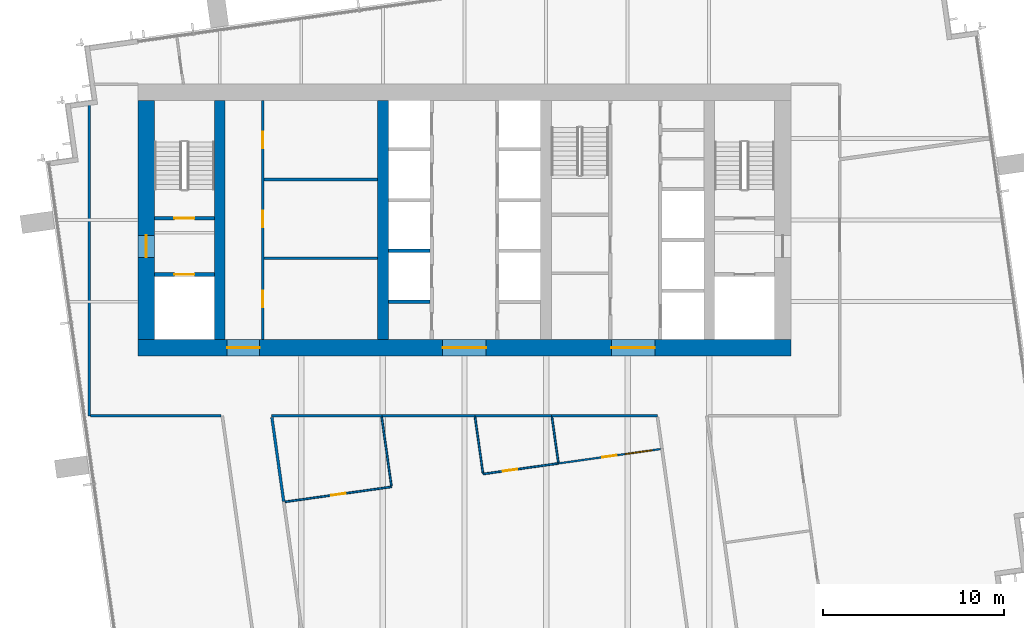
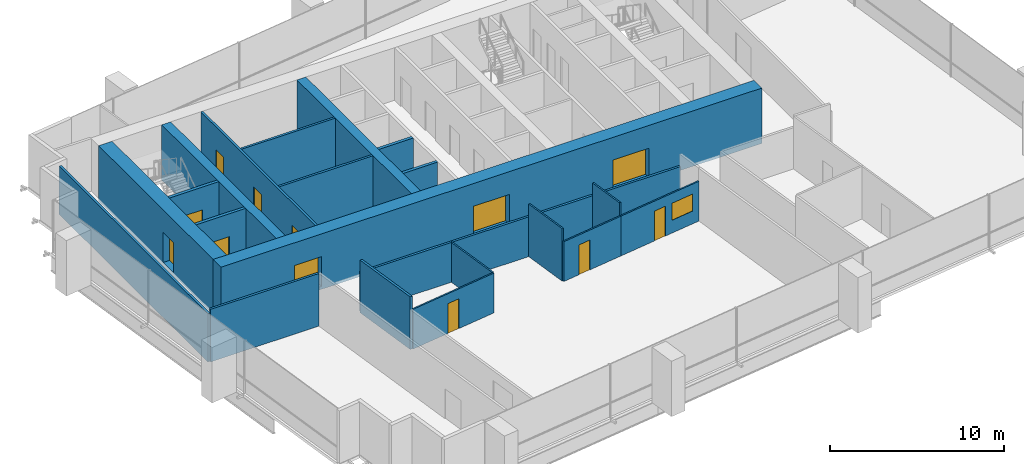
# One storey, part 9 of 13: 24 walls, 12 doors, 1 window, 13 openings.
"""IFC4 building model written with IfcOpenShell, lengths in metres."""

from ifc_helpers import new_model, si_unit, direction, frame, frame_2d, origin, place, context, subcontext, project, spatial, rectangle, extrude, material, layer, layer_set, type_object, element, fill, save


model = new_model("IFC4")

# Units and contexts
model_context = context("Model", 3, precision=1e-05, world=origin(), true_north=direction((0.0, 1.0)))
body_context = subcontext(model_context, "Body", "Model", "MODEL_VIEW")
ifc_project = project(units=[si_unit("LENGTHUNIT", "METRE"), si_unit("AREAUNIT", "SQUARE_METRE"), si_unit("VOLUMEUNIT", "CUBIC_METRE"), si_unit("PLANEANGLEUNIT", "RADIAN"), si_unit("MASSUNIT", "GRAM", prefix="KILO")], contexts=[model_context])

# Site, building, storey
site_placement = place(None, origin())
site = spatial("IfcSite", under=ifc_project, at=site_placement, CompositionType="ELEMENT")
building_placement = place(site_placement, origin())
building = spatial("IfcBuilding", under=site, at=building_placement, Name="Rattan Terrace Tower", CompositionType="ELEMENT")
storey_placement = place(building_placement, frame((0.0, 0.0, 217.39990234375)))
storey = spatial("IfcBuildingStorey", under=building, at=storey_placement, Name="L49", CompositionType="ELEMENT", Elevation=217.39990234375)

# Wall, openings, doors
ifc_material_1 = material(Name="Gypsum board partition")
ifc_layer_1 = layer(ifc_material_1, 0.14990234375)
ifc_layer_set_1 = layer_set([ifc_layer_1], Name="Core partition 150")
wall_type_1 = type_object("IfcWallType", Name="Core partition 150", PredefinedType="PARTITIONING", material=ifc_layer_set_1)
wall_1_placement = place(storey_placement, frame((-11.125, -6.60009765625, 0.0), z_axis=(0.0, 0.0, 1.0), x_axis=(0.0, 1.0, 0.0)))
wall_1 = element("IfcWall", 1, at=wall_1_placement, inside=storey, type_object=wall_type_1, Name="Core room wall", PredefinedType="PARTITIONING", context=body_context, shape_type="SweptSolid", body=[
    extrude(rectangle(XDim=13.2001953125, YDim=0.14990234375, at=frame_2d((6.60009765625, 0.0))), origin(), (0.0, 0.0, 1.0), 3.7001953125),
])
opening_1_placement = place(wall_1_placement, frame((1.7939453125, 0.0, 0.0)))
opening_1 = element("IfcOpeningElement", 2, at=opening_1_placement, cuts=wall_1, Name="Opening L49-D005", PredefinedType="OPENING", context=body_context, shape_type="SweptSolid", body=[
    extrude(rectangle(XDim=0.89990234375, YDim=2.10009765625, at=frame_2d((0.449951171875, 1.050048828125))), frame((0.0, 0.08544921875, 0.0), z_axis=(0.0, -1.0, 0.0), x_axis=(1.0, 0.0, 0.0)), (0.0, 0.0, 1.0), 0.1708984375),
])
opening_2_placement = place(wall_1_placement, frame((6.216064453125, 0.0, 0.0)))
opening_2 = element("IfcOpeningElement", 3, at=opening_2_placement, cuts=wall_1, Name="Opening L49-D006", PredefinedType="OPENING", context=body_context, shape_type="SweptSolid", body=[
    extrude(rectangle(XDim=0.89990234375, YDim=2.10009765625, at=frame_2d((0.449951171875, 1.050048828125))), frame((0.0, 0.08544921875, 0.0), z_axis=(0.0, -1.0, 0.0), x_axis=(1.0, 0.0, 0.0)), (0.0, 0.0, 1.0), 0.1708984375),
])
opening_3_placement = place(wall_1_placement, frame((10.572021484375, 0.0, 0.0)))
opening_3 = element("IfcOpeningElement", 4, at=opening_3_placement, cuts=wall_1, Name="Opening L49-D007", PredefinedType="OPENING", context=body_context, shape_type="SweptSolid", body=[
    extrude(rectangle(XDim=0.89990234375, YDim=2.10009765625, at=frame_2d((0.449951171875, 1.050048828125))), frame((0.0, 0.08544921875, 0.0), z_axis=(0.0, -1.0, 0.0), x_axis=(1.0, 0.0, 0.0)), (0.0, 0.0, 1.0), 0.1708984375),
])
ifc_material_2 = material(Name="Hollow-metal fire door leaf")
door_type_1 = type_object("IfcDoorType", Name="Core service room door 900", OperationType="NOTDEFINED", PredefinedType="DOOR", material=ifc_material_2)
door_1_placement = place(opening_1_placement, origin())
door_1 = element("IfcDoor", 5, at=door_1_placement, inside=storey, type_object=door_type_1, Name="Door L49-D005", OperationType="SINGLE_SWING_LEFT", OverallHeight=2.10009765625, OverallWidth=0.89990234375, PredefinedType="DOOR", context=body_context, shape_type="SweptSolid", body=[
    extrude(rectangle(XDim=0.89990234375, YDim=2.10009765625, at=frame_2d((0.449951171875, 1.050048828125))), frame((0.0, 0.02490234375, 0.0), z_axis=(0.0, -1.0, 0.0), x_axis=(1.0, 0.0, 0.0)), (0.0, 0.0, 1.0), 0.050048828125),
])
fill(opening_1, door_1)
door_2_placement = place(opening_2_placement, origin())
door_2 = element("IfcDoor", 6, at=door_2_placement, inside=storey, type_object=door_type_1, Name="Door L49-D006", OperationType="SINGLE_SWING_RIGHT", OverallHeight=2.10009765625, OverallWidth=0.89990234375, PredefinedType="DOOR", context=body_context, shape_type="SweptSolid", body=[
    extrude(rectangle(XDim=0.89990234375, YDim=2.10009765625, at=frame_2d((0.449951171875, 1.050048828125))), frame((0.0, 0.02490234375, 0.0), z_axis=(0.0, -1.0, 0.0), x_axis=(1.0, 0.0, 0.0)), (0.0, 0.0, 1.0), 0.050048828125),
])
fill(opening_2, door_2)
door_3_placement = place(opening_3_placement, origin())
door_3 = element("IfcDoor", 7, at=door_3_placement, inside=storey, type_object=door_type_1, Name="Door L49-D007", OperationType="SINGLE_SWING_LEFT", OverallHeight=2.10009765625, OverallWidth=0.89990234375, PredefinedType="DOOR", context=body_context, shape_type="SweptSolid", body=[
    extrude(rectangle(XDim=0.89990234375, YDim=2.10009765625, at=frame_2d((0.449951171875, 1.050048828125))), frame((0.0, 0.02490234375, 0.0), z_axis=(0.0, -1.0, 0.0), x_axis=(1.0, 0.0, 0.0)), (0.0, 0.0, 1.0), 0.050048828125),
])
fill(opening_3, door_3)

# Walls
for number, where, z_axis, x_axis, name in (
    (8, (-11.050048828125, -2.112060546875, 0.0), (0.0, 0.0, 1.0), (1.0, 0.0, 0.0), "Core room wall"),
    (9, (-11.050048828125, 2.243896484375, 0.0), (0.0, 0.0, 1.0), (1.0, 0.0, 0.0), "Core room wall"),
):
    element("IfcWall", number, at=place(storey_placement, frame(where, z_axis=z_axis, x_axis=x_axis)), inside=storey, type_object=wall_type_1, Name=name, PredefinedType="PARTITIONING", context=body_context, shape_type="SweptSolid", body=[
        extrude(rectangle(XDim=6.25, YDim=0.14990234375, at=frame_2d((3.125, 0.0))), origin(), (0.0, 0.0, 1.0), 3.7001953125),
    ])

# Wall, opening, door
ifc_material_3 = material(Name="Gypsum board partition")
ifc_layer_2 = layer(ifc_material_3, 0.199951171875)
ifc_layer_set_2 = layer_set([ifc_layer_2], Name="Core partition 200")
wall_type_2 = type_object("IfcWallType", Name="Core partition 200", PredefinedType="PARTITIONING", material=ifc_layer_set_2)
wall_2_placement = place(storey_placement, frame((-17.10009765625, -3.0, 0.0), z_axis=(0.0, 0.0, 1.0), x_axis=(1.0, 0.0, 0.0)))
wall_2 = element("IfcWall", 10, at=wall_2_placement, inside=storey, type_object=wall_type_2, Name="Fire-fighting lobby wall", PredefinedType="PARTITIONING", context=body_context, shape_type="SweptSolid", body=[
    extrude(rectangle(XDim=3.300048828125, YDim=0.199951171875, at=frame_2d((1.64990234375, 0.0))), origin(), (0.0, 0.0, 1.0), 3.7001953125),
])
opening_4_placement = place(wall_2_placement, frame((1.10009765625, 0.0, 0.0)))
opening_4 = element("IfcOpeningElement", 11, at=opening_4_placement, cuts=wall_2, Name="Opening L49-LD-FF1", PredefinedType="OPENING", context=body_context, shape_type="SweptSolid", body=[
    extrude(rectangle(XDim=1.10009765625, YDim=2.10009765625, at=frame_2d((0.550048828125, 1.050048828125))), frame((0.0, 0.110595703125, 0.0), z_axis=(0.0, -1.0, 0.0), x_axis=(1.0, 0.0, 0.0)), (0.0, 0.0, 1.0), 0.220947265625),
])
ifc_material_4 = material(Name="Brushed stainless landing door panel")
door_type_2 = type_object("IfcDoorType", Name="Core lift landing door 1100", OperationType="DOUBLE_DOOR_SLIDING", PredefinedType="DOOR", material=ifc_material_4)
door_4_placement = place(opening_4_placement, origin())
door_4 = element("IfcDoor", 12, at=door_4_placement, inside=storey, type_object=door_type_2, Name="Door L49-LD-FF1", OperationType="DOUBLE_DOOR_SLIDING", OverallHeight=2.10009765625, OverallWidth=1.10009765625, PredefinedType="DOOR", context=body_context, shape_type="SweptSolid", body=[
    extrude(rectangle(XDim=1.10009765625, YDim=2.10009765625, at=frame_2d((0.550048828125, 1.050048828125))), frame((0.0, 0.02490234375, 0.0), z_axis=(0.0, -1.0, 0.0), x_axis=(1.0, 0.0, 0.0)), (0.0, 0.0, 1.0), 0.050048828125),
])
fill(opening_4, door_4)

wall_3_placement = place(storey_placement, frame((-17.10009765625, 0.10009765625, 0.0), z_axis=(0.0, 0.0, 1.0), x_axis=(1.0, 0.0, 0.0)))
wall_3 = element("IfcWall", 13, at=wall_3_placement, inside=storey, type_object=wall_type_2, Name="Stair enclosure wall", PredefinedType="PARTITIONING", context=body_context, shape_type="SweptSolid", body=[
    extrude(rectangle(XDim=3.300048828125, YDim=0.199951171875, at=frame_2d((1.64990234375, 0.0))), origin(), (0.0, 0.0, 1.0), 3.7001953125),
])
opening_5_placement = place(wall_3_placement, frame((1.10009765625, 0.0, 0.0)))
opening_5 = element("IfcOpeningElement", 14, at=opening_5_placement, cuts=wall_3, Name="Opening L49-D002", PredefinedType="OPENING", context=body_context, shape_type="SweptSolid", body=[
    extrude(rectangle(XDim=1.10009765625, YDim=2.10009765625, at=frame_2d((0.550048828125, 1.050048828125))), frame((0.0, 0.110595703125, 0.0), z_axis=(0.0, -1.0, 0.0), x_axis=(1.0, 0.0, 0.0)), (0.0, 0.0, 1.0), 0.220947265625),
])
ifc_material_5 = material(Name="Hollow-metal fire door leaf")
door_type_3 = type_object("IfcDoorType", Name="Core stair door 1100", OperationType="NOTDEFINED", PredefinedType="DOOR", material=ifc_material_5)
door_5_placement = place(opening_5_placement, origin())
door_5 = element("IfcDoor", 15, at=door_5_placement, inside=storey, type_object=door_type_3, Name="Door L49-D002", OperationType="SINGLE_SWING_RIGHT", OverallHeight=2.10009765625, OverallWidth=1.10009765625, PredefinedType="DOOR", context=body_context, shape_type="SweptSolid", body=[
    extrude(rectangle(XDim=1.10009765625, YDim=2.10009765625, at=frame_2d((0.550048828125, 1.050048828125))), frame((0.0, 0.02490234375, 0.0), z_axis=(0.0, -1.0, 0.0), x_axis=(1.0, 0.0, 0.0)), (0.0, 0.0, 1.0), 0.050048828125),
])
fill(opening_5, door_5)

# Wall, openings, doors
ifc_material_6 = material(Name="Concrete C50/60", Category="concrete")
ifc_layer_3 = layer(ifc_material_6, 0.89990234375)
ifc_layer_set_3 = layer_set([ifc_layer_3], Name="Core ring wall 900 C50/60")
wall_type_3 = type_object("IfcWallType", Name="Core ring wall 900 C50/60", PredefinedType="SHEAR", material=ifc_layer_set_3)
wall_4_placement = place(storey_placement, frame((-18.0, -7.050048828125, -0.199951171875), z_axis=(0.0, 0.0, 1.0), x_axis=(1.0, 0.0, 0.0)))
wall_4 = element("IfcWall", 16, at=wall_4_placement, inside=storey, type_object=wall_type_3, Name="Rear core wall south", PredefinedType="SHEAR", context=body_context, shape_type="SweptSolid", body=[
    extrude(rectangle(XDim=36.0, YDim=0.89990234375, at=frame_2d((18.0, 0.0))), origin(), (0.0, 0.0, 1.0), 3.900146484375),
])
opening_6_placement = place(wall_4_placement, frame((4.89990234375, 0.0, 0.199951171875)))
opening_6 = element("IfcOpeningElement", 17, at=opening_6_placement, cuts=wall_4, Name="Opening L49-D008", PredefinedType="OPENING", context=body_context, shape_type="SweptSolid", body=[
    extrude(rectangle(XDim=1.800048828125, YDim=2.10009765625, at=frame_2d((0.89990234375, 1.050048828125))), frame((0.0, 0.46044921875, 0.0), z_axis=(0.0, -1.0, 0.0), x_axis=(1.0, 0.0, 0.0)), (0.0, 0.0, 1.0), 0.9208984375),
])
opening_7_placement = place(wall_4_placement, frame((16.800048828125, 0.0, 0.199951171875)))
opening_7 = element("IfcOpeningElement", 18, at=opening_7_placement, cuts=wall_4, Name="Opening L49-D011", PredefinedType="OPENING", context=body_context, shape_type="SweptSolid", body=[
    extrude(rectangle(XDim=2.39990234375, YDim=2.10009765625, at=frame_2d((1.199951171875, 1.050048828125))), frame((0.0, 0.46044921875, 0.0), z_axis=(0.0, -1.0, 0.0), x_axis=(1.0, 0.0, 0.0)), (0.0, 0.0, 1.0), 0.9208984375),
])
opening_8_placement = place(wall_4_placement, frame((26.10009765625, 0.0, 0.199951171875)))
opening_8 = element("IfcOpeningElement", 19, at=opening_8_placement, cuts=wall_4, Name="Opening L49-D015", PredefinedType="OPENING", context=body_context, shape_type="SweptSolid", body=[
    extrude(rectangle(XDim=2.39990234375, YDim=2.10009765625, at=frame_2d((1.199951171875, 1.050048828125))), frame((0.0, 0.46044921875, 0.0), z_axis=(0.0, -1.0, 0.0), x_axis=(1.0, 0.0, 0.0)), (0.0, 0.0, 1.0), 0.9208984375),
])
ifc_material_7 = material(Name="Hollow-metal fire door leaf")
door_type_4 = type_object("IfcDoorType", Name="Core lift lobby door 2400", OperationType="NOTDEFINED", PredefinedType="DOOR", material=ifc_material_7)
door_6_placement = place(opening_7_placement, origin())
door_6 = element("IfcDoor", 20, at=door_6_placement, inside=storey, type_object=door_type_4, Name="Door L49-D011", OperationType="DOUBLE_DOOR_DOUBLE_SWING", OverallHeight=2.10009765625, OverallWidth=2.39990234375, PredefinedType="DOOR", context=body_context, shape_type="SweptSolid", body=[
    extrude(rectangle(XDim=2.39990234375, YDim=2.10009765625, at=frame_2d((1.199951171875, 1.050048828125))), frame((0.0, 0.02490234375, 0.0), z_axis=(0.0, -1.0, 0.0), x_axis=(1.0, 0.0, 0.0)), (0.0, 0.0, 1.0), 0.050048828125),
])
fill(opening_7, door_6)
door_7_placement = place(opening_8_placement, origin())
door_7 = element("IfcDoor", 21, at=door_7_placement, inside=storey, type_object=door_type_4, Name="Door L49-D015", OperationType="DOUBLE_DOOR_DOUBLE_SWING", OverallHeight=2.10009765625, OverallWidth=2.39990234375, PredefinedType="DOOR", context=body_context, shape_type="SweptSolid", body=[
    extrude(rectangle(XDim=2.39990234375, YDim=2.10009765625, at=frame_2d((1.199951171875, 1.050048828125))), frame((0.0, 0.02490234375, 0.0), z_axis=(0.0, -1.0, 0.0), x_axis=(1.0, 0.0, 0.0)), (0.0, 0.0, 1.0), 0.050048828125),
])
fill(opening_8, door_7)
ifc_material_8 = material(Name="Hollow-metal fire door leaf")
door_type_5 = type_object("IfcDoorType", Name="Core service room door 1800", OperationType="NOTDEFINED", PredefinedType="DOOR", material=ifc_material_8)
door_8_placement = place(opening_6_placement, origin())
door_8 = element("IfcDoor", 22, at=door_8_placement, inside=storey, type_object=door_type_5, Name="Door L49-D008", OperationType="SINGLE_SWING_RIGHT", OverallHeight=2.10009765625, OverallWidth=1.800048828125, PredefinedType="DOOR", context=body_context, shape_type="SweptSolid", body=[
    extrude(rectangle(XDim=1.800048828125, YDim=2.10009765625, at=frame_2d((0.89990234375, 1.050048828125))), frame((0.0, 0.02490234375, 0.0), z_axis=(0.0, -1.0, 0.0), x_axis=(1.0, 0.0, 0.0)), (0.0, 0.0, 1.0), 0.050048828125),
])
fill(opening_6, door_8)

# Wall, opening, door
wall_5_placement = place(storey_placement, frame((-17.550048828125, -6.60009765625, -0.199951171875), z_axis=(0.0, 0.0, 1.0), x_axis=(0.0, 1.0, 0.0)))
wall_5 = element("IfcWall", 23, at=wall_5_placement, inside=storey, type_object=wall_type_3, Name="Rear core wall west", PredefinedType="SHEAR", context=body_context, shape_type="SweptSolid", body=[
    extrude(rectangle(XDim=13.2001953125, YDim=0.89990234375, at=frame_2d((6.60009765625, 0.0))), origin(), (0.0, 0.0, 1.0), 3.900146484375),
])
opening_9_placement = place(wall_5_placement, frame((4.550048828125, 0.0, 0.199951171875)))
opening_9 = element("IfcOpeningElement", 24, at=opening_9_placement, cuts=wall_5, Name="Opening L49-D001", PredefinedType="OPENING", context=body_context, shape_type="SweptSolid", body=[
    extrude(rectangle(XDim=1.199951171875, YDim=2.10009765625, at=frame_2d((0.60009765625, 1.050048828125))), frame((0.0, 0.46044921875, 0.0), z_axis=(0.0, -1.0, 0.0), x_axis=(1.0, 0.0, 0.0)), (0.0, 0.0, 1.0), 0.9208984375),
])
ifc_material_9 = material(Name="Hollow-metal fire door leaf")
door_type_6 = type_object("IfcDoorType", Name="Core fire-fighting lobby door 1200", OperationType="NOTDEFINED", PredefinedType="DOOR", material=ifc_material_9)
door_9_placement = place(opening_9_placement, origin())
door_9 = element("IfcDoor", 25, at=door_9_placement, inside=storey, type_object=door_type_6, Name="Door L49-D001", OperationType="SINGLE_SWING_LEFT", OverallHeight=2.10009765625, OverallWidth=1.199951171875, PredefinedType="DOOR", context=body_context, shape_type="SweptSolid", body=[
    extrude(rectangle(XDim=1.199951171875, YDim=2.10009765625, at=frame_2d((0.60009765625, 1.050048828125))), frame((0.0, 0.02490234375, 0.0), z_axis=(0.0, -1.0, 0.0), x_axis=(1.0, 0.0, 0.0)), (0.0, 0.0, 1.0), 0.050048828125),
])
fill(opening_9, door_9)

# Walls
ifc_material_10 = material(Name="Concrete C50/60", Category="concrete")
ifc_layer_4 = layer(ifc_material_10, 0.60009765625)
ifc_layer_set_4 = layer_set([ifc_layer_4], Name="Core spine wall 600 C50/60")
wall_type_4 = type_object("IfcWallType", Name="Core spine wall 600 C50/60", PredefinedType="SHEAR", material=ifc_layer_set_4)
for number, where, z_axis, x_axis, name in (
    (26, (-13.5, -6.60009765625, -0.199951171875), (0.0, 0.0, 1.0), (0.0, 1.0, 0.0), "Core spine wall 1"),
    (27, (-4.5, -6.60009765625, -0.199951171875), (0.0, 0.0, 1.0), (0.0, 1.0, 0.0), "Core spine wall 2"),
):
    element("IfcWall", number, at=place(storey_placement, frame(where, z_axis=z_axis, x_axis=x_axis)), inside=storey, type_object=wall_type_4, Name=name, PredefinedType="SHEAR", context=body_context, shape_type="SweptSolid", body=[
        extrude(rectangle(XDim=13.2001953125, YDim=0.60009765625, at=frame_2d((6.60009765625, 0.0))), origin(), (0.0, 0.0, 1.0), 3.900146484375),
    ])

# Wall, opening, door
ifc_material_11 = material(Name="Gypsum board partition on steel studs", Category="steel")
ifc_layer_5 = layer(ifc_material_11, 0.10009765625)
ifc_layer_set_5 = layer_set([ifc_layer_5], Name="Floors Partition 100")
wall_type_5 = type_object("IfcWallType", Name="Floors Partition 100", PredefinedType="PARTITIONING", material=ifc_layer_set_5)
wall_6_placement = place(storey_placement, frame((-9.89501953125, -15.54296875, 0.0), z_axis=(0.0, 0.0, 1.0), x_axis=(0.990265807236, 0.139189191458, 0.0)))
wall_6 = element("IfcWall", 28, at=wall_6_placement, inside=storey, type_object=wall_type_5, Name="pt-L49-025", PredefinedType="PARTITIONING", context=body_context, shape_type="SweptSolid", body=[
    extrude(rectangle(XDim=5.9267578125, YDim=0.10009765625, at=frame_2d((2.96337890625, 0.0))), origin(), (0.0, 0.0, 1.0), 2.800048828125),
])
opening_10_placement = place(wall_6_placement, frame((2.56298828125, 0.0, 0.0)))
opening_10 = element("IfcOpeningElement", 29, at=opening_10_placement, cuts=wall_6, Name="Opening L49-D107", PredefinedType="OPENING", context=body_context, shape_type="SweptSolid", body=[
    extrude(rectangle(XDim=0.800048828125, YDim=2.10009765625, at=frame_2d((0.39990234375, 1.050048828125))), frame((0.0, 0.060546875, 0.0), z_axis=(0.0, -1.0, 0.0), x_axis=(1.0, 0.0, 0.0)), (0.0, 0.0, 1.0), 0.12109375),
])
ifc_material_12 = material(Name="Solid core timber door, painted", Category="wood")
door_type_7 = type_object("IfcDoorType", Name="Floors Store Door 800x2100", OperationType="NOTDEFINED", PredefinedType="DOOR", material=ifc_material_12)
door_10_placement = place(opening_10_placement, origin())
door_10 = element("IfcDoor", 30, at=door_10_placement, inside=storey, type_object=door_type_7, Name="d-L49-107", OperationType="SINGLE_SWING_RIGHT", OverallHeight=2.10009765625, OverallWidth=0.800048828125, PredefinedType="DOOR", context=body_context, shape_type="SweptSolid", body=[
    extrude(rectangle(XDim=0.800048828125, YDim=2.10009765625, at=frame_2d((0.39990234375, 1.050048828125))), frame((0.0, 0.02490234375, 0.0), z_axis=(0.0, -1.0, 0.0), x_axis=(1.0, 0.0, 0.0)), (0.0, 0.0, 1.0), 0.050048828125),
])
fill(opening_10, door_10)

# Walls
wall_7_placement = place(storey_placement, frame((-4.032958984375, -14.66796875, 0.0), z_axis=(0.0, 0.0, 1.0), x_axis=(-0.139140777399, 0.990272610984, 0.0)))
element("IfcWall", 31, at=wall_7_placement, inside=storey, type_object=wall_type_5, Name="pt-L49-026", PredefinedType="PARTITIONING", context=body_context, shape_type="SweptSolid", body=[
    extrude(rectangle(XDim=3.83740234375, YDim=0.10009765625, at=frame_2d((1.918701171875, 0.0))), origin(), (0.0, 0.0, 1.0), 2.800048828125),
])
wall_8_placement = place(storey_placement, frame((0.58203125, -10.867919921875, 0.0), z_axis=(0.0, 0.0, 1.0), x_axis=(0.139416658497, -0.990233808418, 0.0)))
element("IfcWall", 32, at=wall_8_placement, inside=storey, type_object=wall_type_5, Name="pt-L49-027", PredefinedType="PARTITIONING", context=body_context, shape_type="SweptSolid", body=[
    extrude(rectangle(XDim=3.12060546875, YDim=0.10009765625, at=frame_2d((1.560302734375, 0.0))), origin(), (0.0, 0.0, 1.0), 3.7001953125),
])

# Wall, opening, door
wall_9_placement = place(storey_placement, frame((1.02392578125, -14.008056640625, 0.0), z_axis=(0.0, 0.0, 1.0), x_axis=(0.990290027482, 0.139016766864, 0.0)))
wall_9 = element("IfcWall", 33, at=wall_9_placement, inside=storey, type_object=wall_type_5, Name="pt-L49-028", PredefinedType="PARTITIONING", context=body_context, shape_type="SweptSolid", body=[
    extrude(rectangle(XDim=4.1796875, YDim=0.10009765625, at=frame_2d((2.08984375, 0.0))), origin(), (0.0, 0.0, 1.0), 2.800048828125),
])
opening_11_placement = place(wall_9_placement, frame((1.114013671875, 0.0, 0.0)))
opening_11 = element("IfcOpeningElement", 34, at=opening_11_placement, cuts=wall_9, Name="Opening L49-D108", PredefinedType="OPENING", context=body_context, shape_type="SweptSolid", body=[
    extrude(rectangle(XDim=0.800048828125, YDim=2.10009765625, at=frame_2d((0.39990234375, 1.050048828125))), frame((0.0, 0.060546875, 0.0), z_axis=(0.0, -1.0, 0.0), x_axis=(1.0, 0.0, 0.0)), (0.0, 0.0, 1.0), 0.12109375),
])
door_11_placement = place(opening_11_placement, origin())
door_11 = element("IfcDoor", 35, at=door_11_placement, inside=storey, type_object=door_type_7, Name="d-L49-108", OperationType="SINGLE_SWING_LEFT", OverallHeight=2.10009765625, OverallWidth=0.800048828125, PredefinedType="DOOR", context=body_context, shape_type="SweptSolid", body=[
    extrude(rectangle(XDim=0.800048828125, YDim=2.10009765625, at=frame_2d((0.39990234375, 1.050048828125))), frame((0.0, 0.02490234375, 0.0), z_axis=(0.0, -1.0, 0.0), x_axis=(1.0, 0.0, 0.0)), (0.0, 0.0, 1.0), 0.050048828125),
])
fill(opening_11, door_11)

# Wall, openings, door, window
wall_10_placement = place(storey_placement, frame((5.1630859375, -13.427001953125, 0.0), z_axis=(0.0, 0.0, 1.0), x_axis=(0.9902675357, 0.139176893695, 0.0)))
wall_10 = element("IfcWall", 36, at=wall_10_placement, inside=storey, type_object=wall_type_5, Name="pt-L49-029", PredefinedType="PARTITIONING", context=body_context, shape_type="SweptSolid", body=[
    extrude(rectangle(XDim=5.711669921875, YDim=0.10009765625, at=frame_2d((2.85595703125, 0.0))), origin(), (0.0, 0.0, 1.0), 2.800048828125),
])
opening_12_placement = place(wall_10_placement, frame((2.4560546875, 0.0, 0.0)))
opening_12 = element("IfcOpeningElement", 37, at=opening_12_placement, cuts=wall_10, Name="Opening L49-D109", PredefinedType="OPENING", context=body_context, shape_type="SweptSolid", body=[
    extrude(rectangle(XDim=0.800048828125, YDim=2.10009765625, at=frame_2d((0.39990234375, 1.050048828125))), frame((0.0, 0.060546875, 0.0), z_axis=(0.0, -1.0, 0.0), x_axis=(1.0, 0.0, 0.0)), (0.0, 0.0, 1.0), 0.12109375),
])
opening_13_placement = place(wall_10_placement, frame((3.73388671875, 0.0, 0.89990234375)))
opening_13 = element("IfcOpeningElement", 38, at=opening_13_placement, cuts=wall_10, Name="Opening L49-W100", PredefinedType="OPENING", context=body_context, shape_type="SweptSolid", body=[
    extrude(rectangle(XDim=1.5, YDim=1.199951171875, at=frame_2d((0.75, 0.60009765625))), frame((0.0, 0.060546875, 0.0), z_axis=(0.0, -1.0, 0.0), x_axis=(1.0, 0.0, 0.0)), (0.0, 0.0, 1.0), 0.12109375),
])
door_12_placement = place(opening_12_placement, origin())
door_12 = element("IfcDoor", 39, at=door_12_placement, inside=storey, type_object=door_type_7, Name="d-L49-109", OperationType="SINGLE_SWING_RIGHT", OverallHeight=2.10009765625, OverallWidth=0.800048828125, PredefinedType="DOOR", context=body_context, shape_type="SweptSolid", body=[
    extrude(rectangle(XDim=0.800048828125, YDim=2.10009765625, at=frame_2d((0.39990234375, 1.050048828125))), frame((0.0, 0.02490234375, 0.0), z_axis=(0.0, -1.0, 0.0), x_axis=(1.0, 0.0, 0.0)), (0.0, 0.0, 1.0), 0.050048828125),
])
fill(opening_12, door_12)
ifc_material_13 = material(Name="Glass, clear, fixed in aluminium frame", Category="aluminium")
window_type = type_object("IfcWindowType", Name="Interior Vision Window 1500x1200", PartitioningType="SINGLE_PANEL", PredefinedType="WINDOW", material=ifc_material_13)
window_placement = place(opening_13_placement, origin())
window = element("IfcWindow", 40, at=window_placement, inside=storey, type_object=window_type, Name="w-L49-100", OverallHeight=1.199951171875, OverallWidth=1.5, PartitioningType="SINGLE_PANEL", PredefinedType="WINDOW", context=body_context, shape_type="SweptSolid", body=[
    extrude(rectangle(XDim=1.5, YDim=1.199951171875, at=frame_2d((0.75, 0.60009765625))), frame((0.0, 0.030029296875, 0.0), z_axis=(0.0, -1.0, 0.0), x_axis=(1.0, 0.0, 0.0)), (0.0, 0.0, 1.0), 0.06005859375),
])
fill(opening_13, window)

# Walls
wall_11_placement = place(storey_placement, frame((4.823974609375, -10.867919921875, 0.0), z_axis=(0.0, 0.0, 1.0), x_axis=(0.139111451168, -0.990276731098, 0.0)))
element("IfcWall", 41, at=wall_11_placement, inside=storey, type_object=wall_type_5, Name="pt-L49-030", PredefinedType="PARTITIONING", context=body_context, shape_type="SweptSolid", body=[
    extrude(rectangle(XDim=2.53076171875, YDim=0.10009765625, at=frame_2d((1.265380859375, 0.0))), origin(), (0.0, 0.0, 1.0), 3.7001953125),
])
ifc_material_14 = material(Name="Gypsum board partition on steel studs, fire rated", Category="steel")
ifc_layer_6 = layer(ifc_material_14, 0.14990234375)
ifc_layer_set_6 = layer_set([ifc_layer_6], Name="Floors Tenancy Wall 150")
wall_type_6 = type_object("IfcWallType", Name="Floors Tenancy Wall 150", PredefinedType="PARTITIONING", material=ifc_layer_set_6)
wall_12_placement = place(storey_placement, frame((-20.699951171875, -10.800048828125, 0.0), z_axis=(0.0, 0.0, 1.0), x_axis=(0.0, 1.0, 0.0)))
element("IfcWall", 42, at=wall_12_placement, inside=storey, type_object=wall_type_6, Name="pt-L49-001", PredefinedType="PARTITIONING", context=body_context, shape_type="SweptSolid", body=[
    extrude(rectangle(XDim=17.156005859375, YDim=0.14990234375, at=frame_2d((8.578125, 0.0))), origin(), (0.0, 0.0, 1.0), 3.400146484375),
])
wall_13_placement = place(storey_placement, frame((-13.43701171875, -10.800048828125, 0.0), z_axis=(0.0, 0.0, 1.0), x_axis=(-1.0, 0.0, 0.0)))
element("IfcWall", 43, at=wall_13_placement, inside=storey, type_object=wall_type_6, Name="pt-L49-002", PredefinedType="PARTITIONING", context=body_context, shape_type="SweptSolid", body=[
    extrude(rectangle(XDim=7.18798828125, YDim=0.14990234375, at=frame_2d((3.593994140625, 0.0))), origin(), (0.0, 0.0, 1.0), 3.7001953125),
])
wall_14_placement = place(storey_placement, frame((0.593017578125, -10.800048828125, 0.0), z_axis=(0.0, 0.0, 1.0), x_axis=(-1.0, 0.0, 0.0)))
element("IfcWall", 44, at=wall_14_placement, inside=storey, type_object=wall_type_6, Name="pt-L49-013", PredefinedType="PARTITIONING", context=body_context, shape_type="SweptSolid", body=[
    extrude(rectangle(XDim=5.14990234375, YDim=0.14990234375, at=frame_2d((2.574951171875, 0.0))), origin(), (0.0, 0.0, 1.0), 2.800048828125),
])
wall_15_placement = place(storey_placement, frame((-10.625, -10.885009765625, 0.0), z_axis=(0.0, 0.0, 1.0), x_axis=(0.139112996275, -0.990276514044, 0.0)))
element("IfcWall", 45, at=wall_15_placement, inside=storey, type_object=wall_type_6, Name="pt-L49-015", PredefinedType="PARTITIONING", context=body_context, shape_type="SweptSolid", body=[
    extrude(rectangle(XDim=4.694580078125, YDim=0.14990234375, at=frame_2d((2.34716796875, 0.0))), origin(), (0.0, 0.0, 1.0), 3.7001953125),
])
wall_16_placement = place(storey_placement, frame((-4.556884765625, -10.800048828125, 0.0), z_axis=(0.0, 0.0, 1.0), x_axis=(-1.0, 0.0, 0.0)))
element("IfcWall", 46, at=wall_16_placement, inside=storey, type_object=wall_type_6, Name="pt-L49-016", PredefinedType="PARTITIONING", context=body_context, shape_type="SweptSolid", body=[
    extrude(rectangle(XDim=6.080078125, YDim=0.14990234375, at=frame_2d((3.0400390625, 0.0))), origin(), (0.0, 0.0, 1.0), 2.800048828125),
])
wall_17_placement = place(storey_placement, frame((4.7939453125, -10.800048828125, 0.0), z_axis=(0.0, 0.0, 1.0), x_axis=(-1.0, 0.0, 0.0)))
element("IfcWall", 47, at=wall_17_placement, inside=storey, type_object=wall_type_6, Name="pt-L49-017", PredefinedType="PARTITIONING", context=body_context, shape_type="SweptSolid", body=[
    extrude(rectangle(XDim=4.200927734375, YDim=0.14990234375, at=frame_2d((2.1005859375, 0.0))), origin(), (0.0, 0.0, 1.0), 2.800048828125),
])
wall_18_placement = place(storey_placement, frame((10.636962890625, -10.800048828125, 0.0), z_axis=(0.0, 0.0, 1.0), x_axis=(-1.0, 0.0, 0.0)))
element("IfcWall", 48, at=wall_18_placement, inside=storey, type_object=wall_type_6, Name="pt-L49-018", PredefinedType="PARTITIONING", context=body_context, shape_type="SweptSolid", body=[
    extrude(rectangle(XDim=5.843017578125, YDim=0.14990234375, at=frame_2d((2.92138671875, 0.0))), origin(), (0.0, 0.0, 1.0), 2.800048828125),
])
ifc_material_15 = material(Name="Gypsum shaft wall system")
ifc_layer_7 = layer(ifc_material_15, 0.199951171875)
ifc_layer_set_7 = layer_set([ifc_layer_7], Name="Lift shaft wall 200")
wall_type_7 = type_object("IfcWallType", Name="Lift shaft wall 200", PredefinedType="PARTITIONING", material=ifc_layer_set_7)
for number, where, z_axis, x_axis, name in (
    (49, (-4.199951171875, -1.699951171875, 0.0), (0.0, 0.0, 1.0), (1.0, 0.0, 0.0), "Lift shaft wall"),
    (50, (-4.199951171875, -4.5, 0.0), (0.0, 0.0, 1.0), (1.0, 0.0, 0.0), "Lift shaft wall"),
):
    element("IfcWall", number, at=place(storey_placement, frame(where, z_axis=z_axis, x_axis=x_axis)), inside=storey, type_object=wall_type_7, Name=name, PredefinedType="PARTITIONING", context=body_context, shape_type="SweptSolid", body=[
        extrude(rectangle(XDim=2.300048828125, YDim=0.199951171875, at=frame_2d((1.14990234375, 0.0))), origin(), (0.0, 0.0, 1.0), 3.7001953125),
    ])

save(model, "model.ifc")
